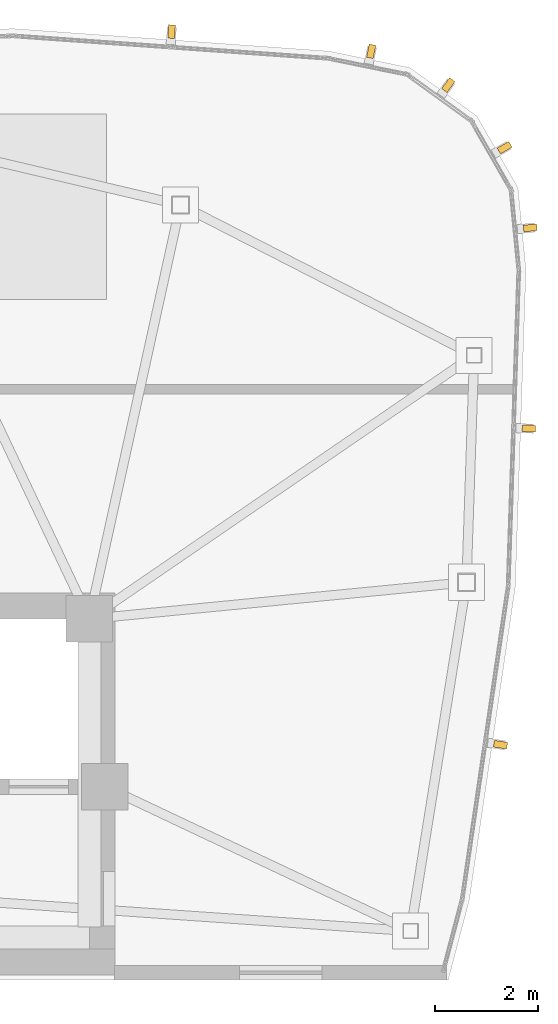
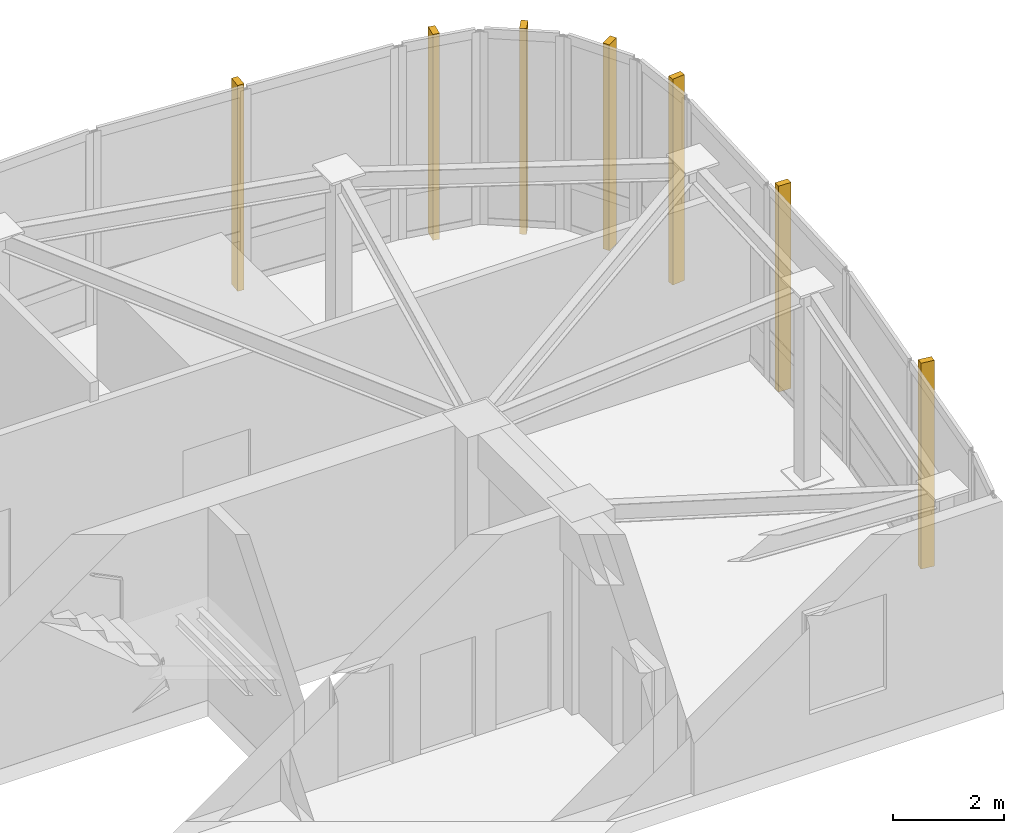
# One storey, part 9 of 10: 7 shading devices.
"""IFC4 building model written with IfcOpenShell, lengths in metres."""

from ifc_helpers import new_model, si_unit, direction, frame, origin, origin_2d, place, context, subcontext, project, spatial, rectangle, extrude, source, transform, mapped, material, type_object, type_shapes, element, save


model = new_model("IFC4")

# Units and contexts
model_context = context("Model", 3, precision=1e-05, world=origin(), true_north=direction((0.0, 1.0)))
body_context = subcontext(model_context, "Body", "Model", "MODEL_VIEW")
ifc_project = project(units=[si_unit("LENGTHUNIT", "METRE"), si_unit("AREAUNIT", "SQUARE_METRE"), si_unit("VOLUMEUNIT", "CUBIC_METRE"), si_unit("PLANEANGLEUNIT", "RADIAN"), si_unit("MASSUNIT", "GRAM", prefix="KILO")], contexts=[model_context])

# Site, building, storey
site_placement = place(None, origin())
site = spatial("IfcSite", under=ifc_project, at=site_placement, CompositionType="ELEMENT")
building_placement = place(site_placement, origin())
building = spatial("IfcBuilding", under=site, at=building_placement, Name="Tavelor Broadcast Tower", CompositionType="ELEMENT")
storey_placement = place(building_placement, frame((0.0, 0.0, 355.10009765625)))
storey = spatial("IfcBuildingStorey", under=building, at=storey_placement, Name="L84", CompositionType="ELEMENT", Elevation=355.10009765625)

# Shading devices
ifc_material = material(Name="Kiln-Fired Glazed Terracotta", Category="masonry")
shading_device_type = type_object("IfcShadingDeviceType", Name="Extruded Terracotta Corner Baguette 130x260", PredefinedType="JALOUSIE", material=ifc_material)
shared_shape = source(origin(), body_context, "Body", "SweptSolid", [
    extrude(rectangle(XDim=0.1298828125, YDim=0.260009765625, at=origin_2d()), origin(), (0.0, 0.0, 1.0), 4.5400390625),
])
type_shapes(shading_device_type, [shared_shape])
for number, where, z_axis, x_axis, name in (
    (1, (64.57080078125, 48.76171875, -0.31005859375), (0.0, 0.0, 1.0), (0.145219670077, 0.989399437751, 0.0), "L84 Terracotta Baguette Fin 857"),
    (2, (65.12158203125, 54.891357421875, -0.31005859375), (0.0, 0.0, 1.0), (0.033504050301, 0.999438581711, 0.0), "L84 Terracotta Baguette Fin 858"),
    (3, (65.146484375, 58.77978515625, -0.31005859375), (0.0, 0.0, 1.0), (-0.096714362966, 0.995312178161, 0.0), "L84 Terracotta Baguette Fin 859"),
    (4, (64.650390625, 60.334716796875, -0.31005859375), (0.0, 0.0, 1.0), (-0.497731039913, 0.867331431408, 0.0), "L84 Terracotta Baguette Fin 860"),
    (5, (63.558349609375, 61.54736328125, -0.31005859375), (0.0, 0.0, 1.0), (-0.810553038353, 0.585665238866, 0.0), "L84 Terracotta Baguette Fin 861"),
    (6, (62.06396484375, 62.203369140625, -0.31005859375), (0.0, 0.0, 1.0), (-0.979750350171, 0.200223004021, 0.0), "L84 Terracotta Baguette Fin 862"),
    (7, (58.194091796875, 62.5849609375, -0.31005859375), (0.0, 0.0, 1.0), (-0.997465679479, 0.071149267469, 0.0), "L84 Terracotta Baguette Fin 863"),
):
    element("IfcShadingDevice", number, at=place(storey_placement, frame(where, z_axis=z_axis, x_axis=x_axis)), inside=storey, type_object=shading_device_type, Name=name, PredefinedType="JALOUSIE", context=body_context, shape_type="MappedRepresentation", body=[
        mapped(shared_shape, transform((0.0, 0.0, 0.0), scale=1.0)),
    ])

save(model, "model.ifc")
